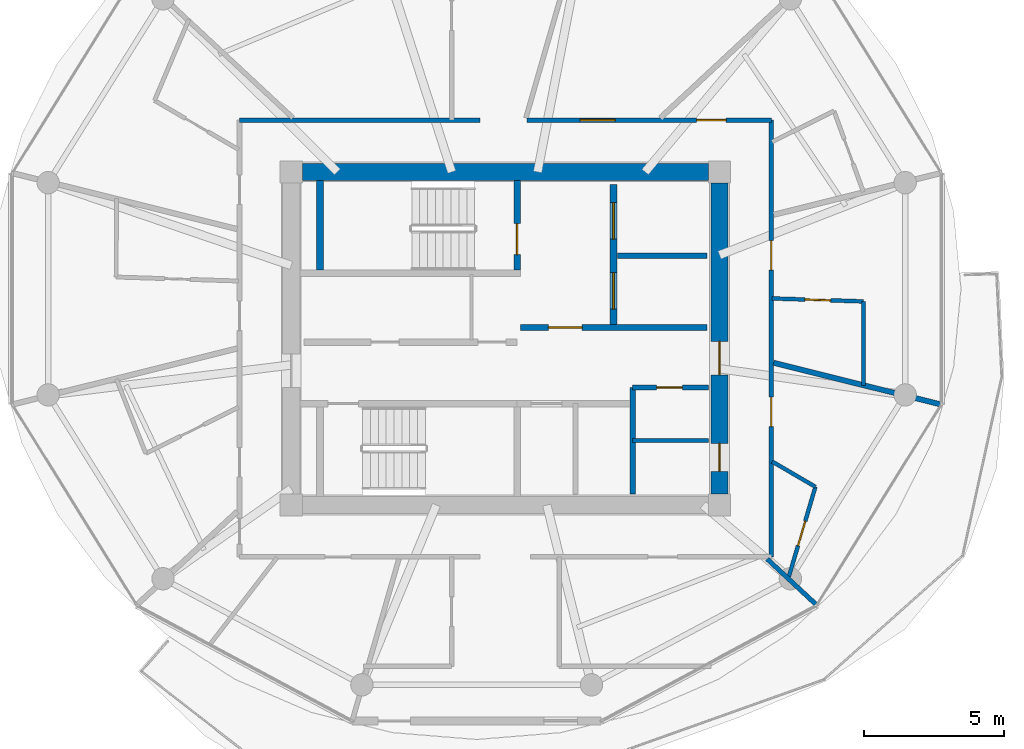
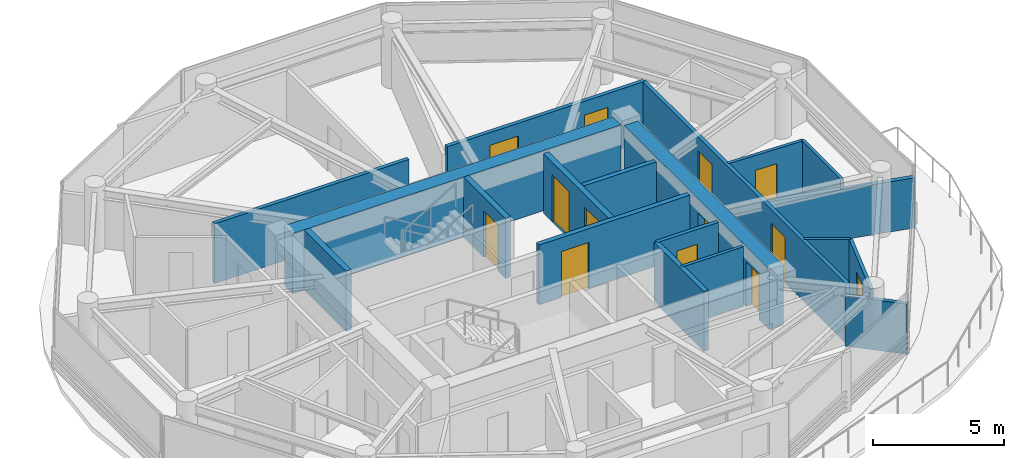
# One storey, part 16 of 22: 19 walls, 13 doors, 13 openings.
"""IFC4 building model written with IfcOpenShell, lengths in metres."""

from ifc_helpers import new_model, si_unit, direction, frame, frame_2d, origin, place, context, subcontext, project, spatial, rectangle, extrude, source, transform, mapped, material, layer, layer_set, type_object, type_shapes, element, fill, save


model = new_model("IFC4")

# Units and contexts
model_context = context("Model", 3, precision=1e-05, world=origin(), true_north=direction((0.0, 1.0)))
body_context = subcontext(model_context, "Body", "Model", "MODEL_VIEW")
ifc_project = project(units=[si_unit("LENGTHUNIT", "METRE"), si_unit("AREAUNIT", "SQUARE_METRE"), si_unit("VOLUMEUNIT", "CUBIC_METRE"), si_unit("PLANEANGLEUNIT", "RADIAN"), si_unit("MASSUNIT", "GRAM", prefix="KILO")], contexts=[model_context])

# Site, building, storey
site_placement = place(None, origin())
site = spatial("IfcSite", under=ifc_project, at=site_placement, CompositionType="ELEMENT")
building_placement = place(site_placement, origin())
building = spatial("IfcBuilding", under=site, at=building_placement, Name="Norrkilde Senior Care Towers", CompositionType="ELEMENT")
storey_placement = place(building_placement, frame((0.0, 0.0, 152.60009765625)))
storey = spatial("IfcBuildingStorey", under=building, at=storey_placement, Name="L47", CompositionType="ELEMENT", Elevation=152.60009765625)

# Wall
ifc_material_1 = material(Name="Concrete C50/60", Category="concrete")
ifc_layer_1 = layer(ifc_material_1, 0.6201171875)
ifc_layer_set_1 = layer_set([ifc_layer_1], Name="Concrete C50/60")
wall_type_1 = type_object("IfcWallType", Name="Core Shear Wall Z3 620", PredefinedType="SHEAR", material=ifc_layer_set_1)
shared_shape_1 = source(origin(), body_context, "Body", "SweptSolid", [
    extrude(rectangle(XDim=14.5, YDim=0.6201171875, at=frame_2d((7.25, 0.0))), origin(), (0.0, 0.0, 1.0), 2.809814453125),
])
wall_1_placement = place(storey_placement, frame((20.75, 5.949951171875, 0.0), z_axis=(0.0, 0.0, 1.0), x_axis=(1.0, 0.0, 0.0)))
element("IfcWall", 1, at=wall_1_placement, inside=storey, type_object=wall_type_1, Name="L47 Core E North Shear Wall", PredefinedType="SHEAR", context=body_context, shape_type="MappedRepresentation", body=[
    mapped(shared_shape_1, transform((0.0, 0.0, 0.0), x_axis=(1.0, 0.0, 0.0), y_axis=(0.0, 1.0, 0.0), z_axis=(0.0, 0.0, 1.0), scale=1.0)),
])

# Wall, openings, doors
shared_shape_2 = source(origin(), body_context, "Body", "SweptSolid", [
    extrude(rectangle(XDim=11.10009765625, YDim=0.6201171875, at=frame_2d((5.550048828125, 0.0))), origin(), (0.0, 0.0, 1.0), 2.809814453125),
])
type_shapes(wall_type_1, [shared_shape_1, shared_shape_2])
wall_2_placement = place(storey_placement, frame((35.64990234375, 5.550048828125, 0.0), z_axis=(0.0, 0.0, 1.0), x_axis=(0.0, -1.0, 0.0)))
wall_2 = element("IfcWall", 2, at=wall_2_placement, inside=storey, type_object=wall_type_1, Name="L47 Core E East Shear Wall", PredefinedType="SHEAR", context=body_context, shape_type="MappedRepresentation", body=[
    mapped(shared_shape_2, transform((0.0, 0.0, 0.0), x_axis=(1.0, 0.0, 0.0), y_axis=(0.0, 1.0, 0.0), z_axis=(0.0, 0.0, 1.0), scale=1.0)),
])
opening_1_placement = place(wall_2_placement, frame((5.64990234375, 0.0, 0.0)))
opening_1 = element("IfcOpeningElement", 3, at=opening_1_placement, cuts=wall_2, Name="Opening D-04", PredefinedType="OPENING", context=body_context, shape_type="SweptSolid", body=[
    extrude(rectangle(XDim=1.199951171875, YDim=2.14990234375, at=frame_2d((0.60009765625, 1.074951171875))), frame((0.0, 0.320068359375, 0.0), z_axis=(0.0, -1.0, 0.0), x_axis=(1.0, 0.0, 0.0)), (0.0, 0.0, 1.0), 0.64013671875),
])
opening_2_placement = place(wall_2_placement, frame((9.300048828125, 0.0, 0.0)))
opening_2 = element("IfcOpeningElement", 4, at=opening_2_placement, cuts=wall_2, Name="Opening D-10", PredefinedType="OPENING", context=body_context, shape_type="SweptSolid", body=[
    extrude(rectangle(XDim=1.0, YDim=2.10009765625, at=frame_2d((0.5, 1.050048828125))), frame((0.0, 0.320068359375, 0.0), z_axis=(0.0, -1.0, 0.0), x_axis=(1.0, 0.0, 0.0)), (0.0, 0.0, 1.0), 0.64013671875),
])
ifc_material_2 = material(Name="Galvanised Painted Steel", Category="steel")
door_type_1 = type_object("IfcDoorType", Name="Firefighting Lobby Fire Door 1200x2150", OperationType="NOTDEFINED", PredefinedType="DOOR", material=ifc_material_2)
shared_shape_3 = source(origin(), body_context, "Body", "SweptSolid", [
    extrude(rectangle(XDim=1.199951171875, YDim=2.14990234375, at=frame_2d((0.60009765625, 1.074951171875))), frame((0.0, 0.02490234375, 0.0), z_axis=(0.0, -1.0, 0.0), x_axis=(1.0, 0.0, 0.0)), (0.0, 0.0, 1.0), 0.050048828125),
])
type_shapes(door_type_1, [shared_shape_3])
door_1_placement = place(opening_1_placement, frame((1.199951171875, 0.0, 0.0), z_axis=(0.0, 0.0, 1.0), x_axis=(-1.0, 0.0, 0.0)))
door_1 = element("IfcDoor", 5, at=door_1_placement, inside=storey, type_object=door_type_1, Name="L47 Core E East Portal Door", OperationType="SINGLE_SWING_RIGHT", OverallHeight=2.14990234375, OverallWidth=1.199951171875, PredefinedType="DOOR", context=body_context, shape_type="MappedRepresentation", body=[
    mapped(shared_shape_3, transform((0.0, 0.0, 0.0), x_axis=(1.0, 0.0, 0.0), y_axis=(0.0, 1.0, 0.0), z_axis=(0.0, 0.0, 1.0), scale=1.0)),
])
fill(opening_1, door_1)
door_type_2 = type_object("IfcDoorType", Name="Plant and Riser Rated Door 1000x2100", OperationType="NOTDEFINED", PredefinedType="DOOR", material=ifc_material_2)
shared_shape_4 = source(origin(), body_context, "Body", "SweptSolid", [
    extrude(rectangle(XDim=1.0, YDim=2.10009765625, at=frame_2d((0.5, 1.050048828125))), frame((0.0, 0.02490234375, 0.0), z_axis=(0.0, -1.0, 0.0), x_axis=(1.0, 0.0, 0.0)), (0.0, 0.0, 1.0), 0.050048828125),
])
type_shapes(door_type_2, [shared_shape_4])
door_2_placement = place(opening_2_placement, frame((1.0, 0.0, 0.0), z_axis=(0.0, 0.0, 1.0), x_axis=(-1.0, 0.0, 0.0)))
door_2 = element("IfcDoor", 6, at=door_2_placement, inside=storey, type_object=door_type_2, Name="L47 Ventilation Riser E Door", OperationType="SINGLE_SWING_RIGHT", OverallHeight=2.10009765625, OverallWidth=1.0, PredefinedType="DOOR", context=body_context, shape_type="MappedRepresentation", body=[
    mapped(shared_shape_4, transform((0.0, 0.0, 0.0), x_axis=(1.0, 0.0, 0.0), y_axis=(0.0, 1.0, 0.0), z_axis=(0.0, 0.0, 1.0), scale=1.0)),
])
fill(opening_2, door_2)

ifc_material_3 = material(Name="Concrete C45/55", Category="concrete")
ifc_layer_2 = layer(ifc_material_3, 0.239990234375)
ifc_layer_set_2 = layer_set([ifc_layer_2], Name="Concrete C45/55")
wall_type_2 = type_object("IfcWallType", Name="Lift and Plant Rated Enclosure Partition 240", PredefinedType="PARTITIONING", material=ifc_layer_set_2)
shared_shape_5 = source(origin(), body_context, "Body", "SweptSolid", [
    extrude(rectangle(XDim=5.0, YDim=0.239990234375, at=frame_2d((2.5, 0.0))), origin(), (0.0, 0.0, 1.0), 2.794921875),
])
type_shapes(wall_type_2, [shared_shape_5])
wall_3_placement = place(storey_placement, frame((31.860107421875, 0.5, 0.0), z_axis=(0.0, 0.0, 1.0), x_axis=(0.0, 1.0, 0.0)))
wall_3 = element("IfcWall", 7, at=wall_3_placement, inside=storey, type_object=wall_type_2, Name="WL-INT-L47-E-FFLE", PredefinedType="PARTITIONING", context=body_context, shape_type="MappedRepresentation", body=[
    mapped(shared_shape_5, transform((0.0, 0.0, 0.0), x_axis=(1.0, 0.0, 0.0), y_axis=(0.0, 1.0, 0.0), z_axis=(0.0, 0.0, 1.0), scale=1.0)),
])
opening_3_placement = place(wall_3_placement, frame((3.050048828125, 0.0, 0.0)))
opening_3 = element("IfcOpeningElement", 8, at=opening_3_placement, cuts=wall_3, Name="Opening LD-02", PredefinedType="OPENING", context=body_context, shape_type="SweptSolid", body=[
    extrude(rectangle(XDim=1.300048828125, YDim=2.199951171875, at=frame_2d((0.64990234375, 1.10009765625))), frame((0.0, 0.1298828125, 0.0), z_axis=(0.0, -1.0, 0.0), x_axis=(1.0, 0.0, 0.0)), (0.0, 0.0, 1.0), 0.260009765625),
])
opening_4_placement = place(wall_3_placement, frame((0.550048828125, 0.0, 0.0)))
opening_4 = element("IfcOpeningElement", 9, at=opening_4_placement, cuts=wall_3, Name="Opening LD-02", PredefinedType="OPENING", context=body_context, shape_type="SweptSolid", body=[
    extrude(rectangle(XDim=1.300048828125, YDim=2.199951171875, at=frame_2d((0.64990234375, 1.10009765625))), frame((0.0, 0.1298828125, 0.0), z_axis=(0.0, -1.0, 0.0), x_axis=(1.0, 0.0, 0.0)), (0.0, 0.0, 1.0), 0.260009765625),
])
ifc_material_4 = material(Name="Stainless Steel", Category="steel")
door_type_3 = type_object("IfcDoorType", Name="Stretcher and FFL Landing Sliding Door 1300x2200", OperationType="NOTDEFINED", PredefinedType="DOOR", material=ifc_material_4)
shared_shape_6 = source(origin(), body_context, "Body", "SweptSolid", [
    extrude(rectangle(XDim=1.300048828125, YDim=2.199951171875, at=frame_2d((0.64990234375, 1.10009765625))), frame((0.0, 0.02490234375, 0.0), z_axis=(0.0, -1.0, 0.0), x_axis=(1.0, 0.0, 0.0)), (0.0, 0.0, 1.0), 0.050048828125),
])
type_shapes(door_type_3, [shared_shape_6])
door_3_placement = place(opening_3_placement, origin())
door_3 = element("IfcDoor", 10, at=door_3_placement, inside=storey, type_object=door_type_3, Name="L47 Firefighting Lift E1 Landing Door", OperationType="SLIDING_TO_LEFT", OverallHeight=2.199951171875, OverallWidth=1.300048828125, PredefinedType="DOOR", context=body_context, shape_type="MappedRepresentation", body=[
    mapped(shared_shape_6, transform((0.0, 0.0, 0.0), x_axis=(1.0, 0.0, 0.0), y_axis=(0.0, 1.0, 0.0), z_axis=(0.0, 0.0, 1.0), scale=1.0)),
])
fill(opening_3, door_3)
door_4_placement = place(opening_4_placement, origin())
door_4 = element("IfcDoor", 11, at=door_4_placement, inside=storey, type_object=door_type_3, Name="L47 Stretcher Lift E1 Landing Door", OperationType="SLIDING_TO_RIGHT", OverallHeight=2.199951171875, OverallWidth=1.300048828125, PredefinedType="DOOR", context=body_context, shape_type="MappedRepresentation", body=[
    mapped(shared_shape_6, transform((0.0, 0.0, 0.0), x_axis=(1.0, 0.0, 0.0), y_axis=(0.0, 1.0, 0.0), z_axis=(0.0, 0.0, 1.0), scale=1.0)),
])
fill(opening_4, door_4)

# Wall
ifc_layer_3 = layer(ifc_material_3, 0.199951171875)
ifc_layer_set_3 = layer_set([ifc_layer_3], Name="Concrete C45/55")
wall_type_3 = type_object("IfcWallType", Name="Shaft Division and Plant Partition 200", PredefinedType="PARTITIONING", material=ifc_layer_set_3)
shared_shape_7 = source(origin(), body_context, "Body", "SweptSolid", [
    extrude(rectangle(XDim=3.199951171875, YDim=0.199951171875, at=frame_2d((1.60009765625, 0.0))), origin(), (0.0, 0.0, 1.0), 2.794921875),
])
wall_4_placement = place(storey_placement, frame((32.0, 2.949951171875, 0.0), z_axis=(0.0, 0.0, 1.0), x_axis=(1.0, 0.0, 0.0)))
element("IfcWall", 12, at=wall_4_placement, inside=storey, type_object=wall_type_3, Name="WL-INT-L47-E-FFLDIV", PredefinedType="PARTITIONING", context=body_context, shape_type="MappedRepresentation", body=[
    mapped(shared_shape_7, transform((0.0, 0.0, 0.0), x_axis=(1.0, 0.0, 0.0), y_axis=(0.0, 1.0, 0.0), z_axis=(0.0, 0.0, 1.0), scale=1.0)),
])

# Wall, opening, door
ifc_layer_4 = layer(ifc_material_3, 0.2099609375)
ifc_layer_set_4 = layer_set([ifc_layer_4], Name="Concrete C45/55")
wall_type_4 = type_object("IfcWallType", Name="Firefighting Lobby Wall 210", PredefinedType="PARTITIONING", material=ifc_layer_set_4)
shared_shape_8 = source(origin(), body_context, "Body", "SweptSolid", [
    extrude(rectangle(XDim=6.659912109375, YDim=0.2099609375, at=frame_2d((3.330078125, 0.0))), origin(), (0.0, 0.0, 1.0), 2.794921875),
])
type_shapes(wall_type_4, [shared_shape_8])
wall_5_placement = place(storey_placement, frame((28.5400390625, 0.389892578125, 0.0), z_axis=(0.0, 0.0, 1.0), x_axis=(1.0, 0.0, 0.0)))
wall_5 = element("IfcWall", 13, at=wall_5_placement, inside=storey, type_object=wall_type_4, Name="WL-INT-L47-E-FFLS", PredefinedType="PARTITIONING", context=body_context, shape_type="MappedRepresentation", body=[
    mapped(shared_shape_8, transform((0.0, 0.0, 0.0), x_axis=(1.0, 0.0, 0.0), y_axis=(0.0, 1.0, 0.0), z_axis=(0.0, 0.0, 1.0), scale=1.0)),
])
opening_5_placement = place(wall_5_placement, frame((1.0, 0.0, 0.0)))
opening_5 = element("IfcOpeningElement", 14, at=opening_5_placement, cuts=wall_5, Name="Opening D-04", PredefinedType="OPENING", context=body_context, shape_type="SweptSolid", body=[
    extrude(rectangle(XDim=1.199951171875, YDim=2.14990234375, at=frame_2d((0.60009765625, 1.074951171875))), frame((0.0, 0.114990234375, 0.0), z_axis=(0.0, -1.0, 0.0), x_axis=(1.0, 0.0, 0.0)), (0.0, 0.0, 1.0), 0.22998046875),
])
door_5_placement = place(opening_5_placement, frame((1.199951171875, 0.0, 0.0), z_axis=(0.0, 0.0, 1.0), x_axis=(-1.0, 0.0, 0.0)))
door_5 = element("IfcDoor", 15, at=door_5_placement, inside=storey, type_object=door_type_1, Name="L47 Firefighting Lobby E Door", OperationType="SINGLE_SWING_LEFT", OverallHeight=2.14990234375, OverallWidth=1.199951171875, PredefinedType="DOOR", context=body_context, shape_type="MappedRepresentation", body=[
    mapped(shared_shape_3, transform((0.0, 0.0, 0.0), x_axis=(1.0, 0.0, 0.0), y_axis=(0.0, 1.0, 0.0), z_axis=(0.0, 0.0, 1.0), scale=1.0)),
])
fill(opening_5, door_5)

# Wall
shared_shape_9 = source(origin(), body_context, "Body", "SweptSolid", [
    extrude(rectangle(XDim=3.800048828125, YDim=0.199951171875, at=frame_2d((1.89990234375, 0.0))), origin(), (0.0, 0.0, 1.0), 2.794921875),
])
type_shapes(wall_type_3, [shared_shape_7, shared_shape_9])
wall_6_placement = place(storey_placement, frame((32.550048828125, -5.550048828125, 0.0), z_axis=(0.0, 0.0, 1.0), x_axis=(0.0, 1.0, 0.0)))
element("IfcWall", 16, at=wall_6_placement, inside=storey, type_object=wall_type_3, Name="WL-INT-L47-E-PKBE", PredefinedType="PARTITIONING", context=body_context, shape_type="MappedRepresentation", body=[
    mapped(shared_shape_9, transform((0.0, 0.0, 0.0), x_axis=(1.0, 0.0, 0.0), y_axis=(0.0, 1.0, 0.0), z_axis=(0.0, 0.0, 1.0), scale=1.0)),
])

# Wall, opening, door
ifc_material_5 = material(Name="Gypsum Acoustic Board")
ifc_layer_5 = layer(ifc_material_5, 0.1650390625)
ifc_layer_set_5 = layer_set([ifc_layer_5], Name="Gypsum Acoustic Board")
wall_type_5 = type_object("IfcWallType", Name="Corridor Rated Partition 165", PredefinedType="PARTITIONING", material=ifc_layer_set_5)
shared_shape_10 = source(origin(), body_context, "Body", "SweptSolid", [
    extrude(rectangle(XDim=2.699951171875, YDim=0.1650390625, at=frame_2d((1.35009765625, 0.0))), origin(), (0.0, 0.0, 1.0), 2.794921875),
])
wall_7_placement = place(storey_placement, frame((32.550048828125, -1.75, 0.0), z_axis=(0.0, 0.0, 1.0), x_axis=(1.0, 0.0, 0.0)))
wall_7 = element("IfcWall", 17, at=wall_7_placement, inside=storey, type_object=wall_type_5, Name="WL-INT-L47-E-CSN", PredefinedType="PARTITIONING", context=body_context, shape_type="MappedRepresentation", body=[
    mapped(shared_shape_10, transform((0.0, 0.0, 0.0), x_axis=(1.0, 0.0, 0.0), y_axis=(0.0, 1.0, 0.0), z_axis=(0.0, 0.0, 1.0), scale=1.0)),
])
opening_6_placement = place(wall_7_placement, frame((0.85009765625, 0.0, 0.0)))
opening_6 = element("IfcOpeningElement", 18, at=opening_6_placement, cuts=wall_7, Name="Opening D-12", PredefinedType="OPENING", context=body_context, shape_type="SweptSolid", body=[
    extrude(rectangle(XDim=0.925048828125, YDim=2.10009765625, at=frame_2d((0.46240234375, 1.050048828125))), frame((0.0, 0.092529296875, 0.0), z_axis=(0.0, -1.0, 0.0), x_axis=(1.0, 0.0, 0.0)), (0.0, 0.0, 1.0), 0.18505859375),
])
door_type_4 = type_object("IfcDoorType", Name="Core Wet Room Rated Door 925x2100", OperationType="NOTDEFINED", PredefinedType="DOOR", material=ifc_material_2)
shared_shape_11 = source(origin(), body_context, "Body", "SweptSolid", [
    extrude(rectangle(XDim=0.925048828125, YDim=2.10009765625, at=frame_2d((0.46240234375, 1.050048828125))), frame((0.0, 0.02490234375, 0.0), z_axis=(0.0, -1.0, 0.0), x_axis=(1.0, 0.0, 0.0)), (0.0, 0.0, 1.0), 0.050048828125),
])
type_shapes(door_type_4, [shared_shape_11])
door_6_placement = place(opening_6_placement, origin())
door_6 = element("IfcDoor", 19, at=door_6_placement, inside=storey, type_object=door_type_4, Name="L47 Staff WC E Door", OperationType="SINGLE_SWING_LEFT", OverallHeight=2.10009765625, OverallWidth=0.925048828125, PredefinedType="DOOR", context=body_context, shape_type="MappedRepresentation", body=[
    mapped(shared_shape_11, transform((0.0, 0.0, 0.0), x_axis=(1.0, 0.0, 0.0), y_axis=(0.0, 1.0, 0.0), z_axis=(0.0, 0.0, 1.0), scale=1.0)),
])
fill(opening_6, door_6)

# Walls
ifc_layer_6 = layer(ifc_material_5, 0.139892578125)
ifc_layer_set_6 = layer_set([ifc_layer_6], Name="Gypsum Acoustic Board")
wall_type_6 = type_object("IfcWallType", Name="En-suite Wet Room Wall 140", PredefinedType="PARTITIONING", material=ifc_layer_set_6)
shared_shape_12 = source(origin(), body_context, "Body", "SweptSolid", [
    extrude(rectangle(XDim=2.699951171875, YDim=0.139892578125, at=frame_2d((1.35009765625, 0.0))), origin(), (0.0, 0.0, 1.0), 2.794921875),
])
wall_8_placement = place(storey_placement, frame((32.550048828125, -3.64990234375, 0.0), z_axis=(0.0, 0.0, 1.0), x_axis=(1.0, 0.0, 0.0)))
element("IfcWall", 20, at=wall_8_placement, inside=storey, type_object=wall_type_6, Name="WL-INT-L47-E-CS2H", PredefinedType="PARTITIONING", context=body_context, shape_type="MappedRepresentation", body=[
    mapped(shared_shape_12, transform((0.0, 0.0, 0.0), x_axis=(1.0, 0.0, 0.0), y_axis=(0.0, 1.0, 0.0), z_axis=(0.0, 0.0, 1.0), scale=1.0)),
])
shared_shape_13 = source(origin(), body_context, "Body", "SweptSolid", [
    extrude(rectangle(XDim=8.60009765625, YDim=0.1650390625, at=frame_2d((4.300048828125, 0.0))), origin(), (0.0, 0.0, 1.0), 2.794921875),
])
wall_9_placement = place(storey_placement, frame((18.5, 7.800048828125, 0.0), z_axis=(0.0, 0.0, 1.0), x_axis=(1.0, 0.0, 0.0)))
element("IfcWall", 21, at=wall_9_placement, inside=storey, type_object=wall_type_5, Name="WL-INT-L47-E-CRW-N-0", PredefinedType="PARTITIONING", context=body_context, shape_type="MappedRepresentation", body=[
    mapped(shared_shape_13, transform((0.0, 0.0, 0.0), x_axis=(1.0, 0.0, 0.0), y_axis=(0.0, 1.0, 0.0), z_axis=(0.0, 0.0, 1.0), scale=1.0)),
])

# Wall, openings, doors
shared_shape_14 = source(origin(), body_context, "Body", "SweptSolid", [
    extrude(rectangle(XDim=15.60009765625, YDim=0.1650390625, at=frame_2d((7.800048828125, 0.0))), origin(), (0.0, 0.0, 1.0), 2.794921875),
])
wall_10_placement = place(storey_placement, frame((37.5, 7.800048828125, 0.0), z_axis=(0.0, 0.0, 1.0), x_axis=(0.0, -1.0, 0.0)))
wall_10 = element("IfcWall", 22, at=wall_10_placement, inside=storey, type_object=wall_type_5, Name="WL-INT-L47-E-CRW-E-0", PredefinedType="PARTITIONING", context=body_context, shape_type="MappedRepresentation", body=[
    mapped(shared_shape_14, transform((0.0, 0.0, 0.0), x_axis=(1.0, 0.0, 0.0), y_axis=(0.0, 1.0, 0.0), z_axis=(0.0, 0.0, 1.0), scale=1.0)),
])
opening_7_placement = place(wall_10_placement, frame((9.896484375, 0.0, 0.0)))
opening_7 = element("IfcOpeningElement", 23, at=opening_7_placement, cuts=wall_10, Name="Opening D-06", PredefinedType="OPENING", context=body_context, shape_type="SweptSolid", body=[
    extrude(rectangle(XDim=1.050048828125, YDim=2.14990234375, at=frame_2d((0.52490234375, 1.074951171875))), frame((0.0, 0.092529296875, 0.0), z_axis=(0.0, -1.0, 0.0), x_axis=(1.0, 0.0, 0.0)), (0.0, 0.0, 1.0), 0.18505859375),
])
opening_8_placement = place(wall_10_placement, frame((4.306396484375, 0.0, 0.0)))
opening_8 = element("IfcOpeningElement", 24, at=opening_8_placement, cuts=wall_10, Name="Opening D-06", PredefinedType="OPENING", context=body_context, shape_type="SweptSolid", body=[
    extrude(rectangle(XDim=1.050048828125, YDim=2.14990234375, at=frame_2d((0.52490234375, 1.074951171875))), frame((0.0, 0.092529296875, 0.0), z_axis=(0.0, -1.0, 0.0), x_axis=(1.0, 0.0, 0.0)), (0.0, 0.0, 1.0), 0.18505859375),
])
ifc_material_6 = material(Name="Nordic Ash Timber", Category="wood")
door_type_5 = type_object("IfcDoorType", Name="Apartment Entrance Fire Door 1050x2150", OperationType="NOTDEFINED", PredefinedType="DOOR", material=ifc_material_6)
shared_shape_15 = source(origin(), body_context, "Body", "SweptSolid", [
    extrude(rectangle(XDim=1.050048828125, YDim=2.14990234375, at=frame_2d((0.52490234375, 1.074951171875))), frame((0.0, 0.02490234375, 0.0), z_axis=(0.0, -1.0, 0.0), x_axis=(1.0, 0.0, 0.0)), (0.0, 0.0, 1.0), 0.050048828125),
])
type_shapes(door_type_5, [shared_shape_15])
door_7_placement = place(opening_7_placement, frame((1.050048828125, 0.0, 0.0), z_axis=(0.0, 0.0, 1.0), x_axis=(-1.0, 0.0, 0.0)))
door_7 = element("IfcDoor", 25, at=door_7_placement, inside=storey, type_object=door_type_5, Name="L47 Studio 47E Entrance Door", OperationType="SINGLE_SWING_LEFT", OverallHeight=2.14990234375, OverallWidth=1.050048828125, PredefinedType="DOOR", context=body_context, shape_type="MappedRepresentation", body=[
    mapped(shared_shape_15, transform((0.0, 0.0, 0.0), x_axis=(1.0, 0.0, 0.0), y_axis=(0.0, 1.0, 0.0), z_axis=(0.0, 0.0, 1.0), scale=1.0)),
])
fill(opening_7, door_7)
door_8_placement = place(opening_8_placement, frame((1.050048828125, 0.0, 0.0), z_axis=(0.0, 0.0, 1.0), x_axis=(-1.0, 0.0, 0.0)))
door_8 = element("IfcDoor", 26, at=door_8_placement, inside=storey, type_object=door_type_5, Name="L47 Studio 47F Entrance Door", OperationType="SINGLE_SWING_RIGHT", OverallHeight=2.14990234375, OverallWidth=1.050048828125, PredefinedType="DOOR", context=body_context, shape_type="MappedRepresentation", body=[
    mapped(shared_shape_15, transform((0.0, 0.0, 0.0), x_axis=(1.0, 0.0, 0.0), y_axis=(0.0, 1.0, 0.0), z_axis=(0.0, 0.0, 1.0), scale=1.0)),
])
fill(opening_8, door_8)

# Wall
ifc_layer_7 = layer(ifc_material_5, 0.18994140625)
ifc_layer_set_7 = layer_set([ifc_layer_7], Name="Gypsum Acoustic Board")
wall_type_7 = type_object("IfcWallType", Name="Unit Demising Acoustic Wall 190", PredefinedType="PARTITIONING", material=ifc_layer_set_7)
shared_shape_16 = source(origin(), body_context, "Body", "SweptSolid", [
    extrude(rectangle(XDim=6.192626953125, YDim=0.18994140625, at=frame_2d((3.09619140625, 0.0))), origin(), (0.0, 0.0, 1.0), 2.344970703125),
])
type_shapes(wall_type_7, [shared_shape_16])
wall_11_placement = place(storey_placement, frame((37.580078125, -0.867919921875, 0.0), z_axis=(0.0, 0.0, 1.0), x_axis=(0.970309243466, -0.241867674657, 0.0)))
element("IfcWall", 27, at=wall_11_placement, inside=storey, type_object=wall_type_7, Name="WL-INT-L47-E-DEM-11-0", PredefinedType="PARTITIONING", context=body_context, shape_type="MappedRepresentation", body=[
    mapped(shared_shape_16, transform((0.0, 0.0, 0.0), x_axis=(1.0, 0.0, 0.0), y_axis=(0.0, 1.0, 0.0), z_axis=(0.0, 0.0, 1.0), scale=1.0)),
])

# Wall, openings, doors
shared_shape_17 = source(origin(), body_context, "Body", "SweptSolid", [
    extrude(rectangle(XDim=8.719482421875, YDim=0.1650390625, at=frame_2d((4.35986328125, 0.0))), origin(), (0.0, 0.0, 1.0), 2.794921875),
])
wall_12_placement = place(storey_placement, frame((28.780517578125, 7.800048828125, 0.0), z_axis=(0.0, 0.0, 1.0), x_axis=(1.0, 0.0, 0.0)))
wall_12 = element("IfcWall", 28, at=wall_12_placement, inside=storey, type_object=wall_type_5, Name="WL-INT-L47-E-CRW-N-1", PredefinedType="PARTITIONING", context=body_context, shape_type="MappedRepresentation", body=[
    mapped(shared_shape_17, transform((0.0, 0.0, 0.0), x_axis=(1.0, 0.0, 0.0), y_axis=(0.0, 1.0, 0.0), z_axis=(0.0, 0.0, 1.0), scale=1.0)),
])
opening_9_placement = place(wall_12_placement, frame((6.054443359375, 0.0, 0.0)))
opening_9 = element("IfcOpeningElement", 29, at=opening_9_placement, cuts=wall_12, Name="Opening D-06", PredefinedType="OPENING", context=body_context, shape_type="SweptSolid", body=[
    extrude(rectangle(XDim=1.050048828125, YDim=2.14990234375, at=frame_2d((0.52490234375, 1.074951171875))), frame((0.0, 0.092529296875, 0.0), z_axis=(0.0, -1.0, 0.0), x_axis=(1.0, 0.0, 0.0)), (0.0, 0.0, 1.0), 0.18505859375),
])
opening_10_placement = place(wall_12_placement, frame((1.890869140625, 0.0, 0.0)))
opening_10 = element("IfcOpeningElement", 30, at=opening_10_placement, cuts=wall_12, Name="Opening D-05", PredefinedType="OPENING", context=body_context, shape_type="SweptSolid", body=[
    extrude(rectangle(XDim=1.25, YDim=2.199951171875, at=frame_2d((0.625, 1.10009765625))), frame((0.0, 0.092529296875, 0.0), z_axis=(0.0, -1.0, 0.0), x_axis=(1.0, 0.0, 0.0)), (0.0, 0.0, 1.0), 0.18505859375),
])
door_type_6 = type_object("IfcDoorType", Name="Care Bedroom Bariatric Door 1250x2200", OperationType="NOTDEFINED", PredefinedType="DOOR", material=ifc_material_6)
shared_shape_18 = source(origin(), body_context, "Body", "SweptSolid", [
    extrude(rectangle(XDim=1.25, YDim=2.199951171875, at=frame_2d((0.625, 1.10009765625))), frame((0.0, 0.02490234375, 0.0), z_axis=(0.0, -1.0, 0.0), x_axis=(1.0, 0.0, 0.0)), (0.0, 0.0, 1.0), 0.050048828125),
])
type_shapes(door_type_6, [shared_shape_18])
door_9_placement = place(opening_10_placement, frame((1.25, 0.0, 0.0), z_axis=(0.0, 0.0, 1.0), x_axis=(-1.0, 0.0, 0.0)))
door_9 = element("IfcDoor", 31, at=door_9_placement, inside=storey, type_object=door_type_6, Name="L47 Senior Wellness Library Lounge Door", OperationType="SINGLE_SWING_RIGHT", OverallHeight=2.199951171875, OverallWidth=1.25, PredefinedType="DOOR", context=body_context, shape_type="MappedRepresentation", body=[
    mapped(shared_shape_18, transform((0.0, 0.0, 0.0), x_axis=(1.0, 0.0, 0.0), y_axis=(0.0, 1.0, 0.0), z_axis=(0.0, 0.0, 1.0), scale=1.0)),
])
fill(opening_10, door_9)
door_10_placement = place(opening_9_placement, frame((1.050048828125, 0.0, 0.0), z_axis=(0.0, 0.0, 1.0), x_axis=(-1.0, 0.0, 0.0)))
door_10 = element("IfcDoor", 32, at=door_10_placement, inside=storey, type_object=door_type_5, Name="L47 Studio 47G Entrance Door", OperationType="SINGLE_SWING_LEFT", OverallHeight=2.14990234375, OverallWidth=1.050048828125, PredefinedType="DOOR", context=body_context, shape_type="MappedRepresentation", body=[
    mapped(shared_shape_15, transform((0.0, 0.0, 0.0), x_axis=(1.0, 0.0, 0.0), y_axis=(0.0, 1.0, 0.0), z_axis=(0.0, 0.0, 1.0), scale=1.0)),
])
fill(opening_9, door_10)

# Walls
shared_shape_19 = source(origin(), body_context, "Body", "SweptSolid", [
    extrude(rectangle(XDim=2.434814453125, YDim=0.1650390625, at=frame_2d((1.21728515625, 0.0))), origin(), (0.0, 0.0, 1.0), 2.344970703125),
])
type_shapes(wall_type_5, [shared_shape_10, shared_shape_13, shared_shape_14, shared_shape_17, shared_shape_19])
wall_13_placement = place(storey_placement, frame((37.3544921875, -7.8798828125, 0.0), z_axis=(0.0, 0.0, 1.0), x_axis=(0.732164643118, -0.681127693878, 0.0)))
element("IfcWall", 33, at=wall_13_placement, inside=storey, type_object=wall_type_5, Name="WL-INT-L47-E-DEM-10-0", PredefinedType="PARTITIONING", context=body_context, shape_type="MappedRepresentation", body=[
    mapped(shared_shape_19, transform((0.0, 0.0, 0.0), x_axis=(1.0, 0.0, 0.0), y_axis=(0.0, 1.0, 0.0), z_axis=(0.0, 0.0, 1.0), scale=1.0)),
])
ifc_layer_8 = layer(ifc_material_3, 0.239990234375)
ifc_layer_set_8 = layer_set([ifc_layer_8], Name="Concrete C45/55")
wall_type_8 = type_object("IfcWallType", Name="Shaft and Stair Enclosure Wall 240", PredefinedType="PARTITIONING", material=ifc_layer_set_8)
shared_shape_20 = source(origin(), body_context, "Body", "SweptSolid", [
    extrude(rectangle(XDim=3.18994140625, YDim=0.239990234375, at=frame_2d((1.594970703125, 0.0))), origin(), (0.0, 0.0, 1.0), 2.809814453125),
])
type_shapes(wall_type_8, [shared_shape_20])
wall_14_placement = place(storey_placement, frame((21.3798828125, 2.449951171875, 0.0), z_axis=(0.0, 0.0, 1.0), x_axis=(0.0, 1.0, 0.0)))
element("IfcWall", 34, at=wall_14_placement, inside=storey, type_object=wall_type_8, Name="WL-INT-L47-E-ST1W", PredefinedType="PARTITIONING", context=body_context, shape_type="MappedRepresentation", body=[
    mapped(shared_shape_20, transform((0.0, 0.0, 0.0), x_axis=(1.0, 0.0, 0.0), y_axis=(0.0, 1.0, 0.0), z_axis=(0.0, 0.0, 1.0), scale=1.0)),
])

# Wall, opening, door
wall_15_placement = place(storey_placement, frame((28.419921875, 2.449951171875, 0.0), z_axis=(0.0, 0.0, 1.0), x_axis=(0.0, 1.0, 0.0)))
wall_15 = element("IfcWall", 35, at=wall_15_placement, inside=storey, type_object=wall_type_8, Name="WL-INT-L47-E-ST1E", PredefinedType="PARTITIONING", context=body_context, shape_type="MappedRepresentation", body=[
    mapped(shared_shape_20, transform((0.0, 0.0, 0.0), x_axis=(1.0, 0.0, 0.0), y_axis=(0.0, 1.0, 0.0), z_axis=(0.0, 0.0, 1.0), scale=1.0)),
])
opening_11_placement = place(wall_15_placement, frame((0.550048828125, 0.0, 0.0)))
opening_11 = element("IfcOpeningElement", 36, at=opening_11_placement, cuts=wall_15, Name="Opening D-03", PredefinedType="OPENING", context=body_context, shape_type="SweptSolid", body=[
    extrude(rectangle(XDim=1.10009765625, YDim=2.14990234375, at=frame_2d((0.550048828125, 1.074951171875))), frame((0.0, 0.1298828125, 0.0), z_axis=(0.0, -1.0, 0.0), x_axis=(1.0, 0.0, 0.0)), (0.0, 0.0, 1.0), 0.260009765625),
])
door_type_7 = type_object("IfcDoorType", Name="Stairwell Protected Fire Door 1100x2150", OperationType="NOTDEFINED", PredefinedType="DOOR", material=ifc_material_2)
shared_shape_21 = source(origin(), body_context, "Body", "SweptSolid", [
    extrude(rectangle(XDim=1.10009765625, YDim=2.14990234375, at=frame_2d((0.550048828125, 1.074951171875))), frame((0.0, 0.02490234375, 0.0), z_axis=(0.0, -1.0, 0.0), x_axis=(1.0, 0.0, 0.0)), (0.0, 0.0, 1.0), 0.050048828125),
])
type_shapes(door_type_7, [shared_shape_21])
door_11_placement = place(opening_11_placement, origin())
door_11 = element("IfcDoor", 37, at=door_11_placement, inside=storey, type_object=door_type_7, Name="L47 Stair E1 Fire Door", OperationType="SINGLE_SWING_LEFT", OverallHeight=2.14990234375, OverallWidth=1.10009765625, PredefinedType="DOOR", context=body_context, shape_type="MappedRepresentation", body=[
    mapped(shared_shape_21, transform((0.0, 0.0, 0.0), x_axis=(1.0, 0.0, 0.0), y_axis=(0.0, 1.0, 0.0), z_axis=(0.0, 0.0, 1.0), scale=1.0)),
])
fill(opening_11, door_11)

shared_shape_22 = source(origin(), body_context, "Body", "SweptSolid", [
    extrude(rectangle(XDim=3.269287109375, YDim=0.139892578125, at=frame_2d((1.634765625, 0.0))), origin(), (0.0, 0.0, 1.0), 2.794921875),
])
wall_16_placement = place(storey_placement, frame((37.530029296875, 1.430419921875, 0.0), z_axis=(0.0, 0.0, 1.0), x_axis=(0.999467384322, -0.032633536084, 0.0)))
wall_16 = element("IfcWall", 38, at=wall_16_placement, inside=storey, type_object=wall_type_6, Name="WL-INT-L47-E-ES-11", PredefinedType="PARTITIONING", context=body_context, shape_type="MappedRepresentation", body=[
    mapped(shared_shape_22, transform((0.0, 0.0, 0.0), x_axis=(1.0, 0.0, 0.0), y_axis=(0.0, 1.0, 0.0), z_axis=(0.0, 0.0, 1.0), scale=1.0)),
])
opening_12_placement = place(wall_16_placement, frame((1.174560546875, 0.0, 0.0)))
opening_12 = element("IfcOpeningElement", 39, at=opening_12_placement, cuts=wall_16, Name="Opening D-08", PredefinedType="OPENING", context=body_context, shape_type="SweptSolid", body=[
    extrude(rectangle(XDim=0.919921875, YDim=2.10009765625, at=frame_2d((0.4599609375, 1.050048828125))), frame((0.0, 0.079833984375, 0.0), z_axis=(0.0, -1.0, 0.0), x_axis=(1.0, 0.0, 0.0)), (0.0, 0.0, 1.0), 0.159912109375),
])
door_type_8 = type_object("IfcDoorType", Name="Accessible Wet Room Door 920x2100", OperationType="NOTDEFINED", PredefinedType="DOOR", material=ifc_material_6)
shared_shape_23 = source(origin(), body_context, "Body", "SweptSolid", [
    extrude(rectangle(XDim=0.919921875, YDim=2.10009765625, at=frame_2d((0.4599609375, 1.050048828125))), frame((0.0, 0.02490234375, 0.0), z_axis=(0.0, -1.0, 0.0), x_axis=(1.0, 0.0, 0.0)), (0.0, 0.0, 1.0), 0.050048828125),
])
type_shapes(door_type_8, [shared_shape_23])
door_12_placement = place(opening_12_placement, origin())
door_12 = element("IfcDoor", 40, at=door_12_placement, inside=storey, type_object=door_type_8, Name="L47 Studio 47F Bathroom Door", OperationType="SINGLE_SWING_LEFT", OverallHeight=2.10009765625, OverallWidth=0.919921875, PredefinedType="DOOR", context=body_context, shape_type="MappedRepresentation", body=[
    mapped(shared_shape_23, transform((0.0, 0.0, 0.0), x_axis=(1.0, 0.0, 0.0), y_axis=(0.0, 1.0, 0.0), z_axis=(0.0, 0.0, 1.0), scale=1.0)),
])
fill(opening_12, door_12)

# Walls
shared_shape_24 = source(origin(), body_context, "Body", "SweptSolid", [
    extrude(rectangle(XDim=3.011962890625, YDim=0.139892578125, at=frame_2d((1.505859375, 0.0))), origin(), (0.0, 0.0, 1.0), 2.794921875),
])
wall_17_placement = place(storey_placement, frame((40.797607421875, 1.32373046875, 0.0), z_axis=(0.0, 0.0, 1.0), x_axis=(-0.00226958968, -0.999997424478, 0.0)))
element("IfcWall", 41, at=wall_17_placement, inside=storey, type_object=wall_type_6, Name="WL-INT-L47-E-EF-11", PredefinedType="PARTITIONING", context=body_context, shape_type="MappedRepresentation", body=[
    mapped(shared_shape_24, transform((0.0, 0.0, 0.0), x_axis=(1.0, 0.0, 0.0), y_axis=(0.0, 1.0, 0.0), z_axis=(0.0, 0.0, 1.0), scale=1.0)),
])
shared_shape_25 = source(origin(), body_context, "Body", "SweptSolid", [
    extrude(rectangle(XDim=1.791259765625, YDim=0.139892578125, at=frame_2d((0.8955078125, 0.0))), origin(), (0.0, 0.0, 1.0), 2.794921875),
])
wall_18_placement = place(storey_placement, frame((37.530029296875, -4.3955078125, 0.0), z_axis=(0.0, 0.0, 1.0), x_axis=(0.863294053295, -0.504701275553, 0.0)))
element("IfcWall", 42, at=wall_18_placement, inside=storey, type_object=wall_type_6, Name="WL-INT-L47-E-ES-10", PredefinedType="PARTITIONING", context=body_context, shape_type="MappedRepresentation", body=[
    mapped(shared_shape_25, transform((0.0, 0.0, 0.0), x_axis=(1.0, 0.0, 0.0), y_axis=(0.0, 1.0, 0.0), z_axis=(0.0, 0.0, 1.0), scale=1.0)),
])

# Wall, opening, door
shared_shape_26 = source(origin(), body_context, "Body", "SweptSolid", [
    extrude(rectangle(XDim=3.469970703125, YDim=0.139892578125, at=frame_2d((1.73486328125, 0.0))), origin(), (0.0, 0.0, 1.0), 2.794921875),
])
type_shapes(wall_type_6, [shared_shape_12, shared_shape_22, shared_shape_24, shared_shape_25, shared_shape_26])
wall_19_placement = place(storey_placement, frame((39.076416015625, -5.299560546875, 0.0), z_axis=(0.0, 0.0, 1.0), x_axis=(-0.283194656898, -0.959062451723, 0.0)))
wall_19 = element("IfcWall", 43, at=wall_19_placement, inside=storey, type_object=wall_type_6, Name="WL-INT-L47-E-EF-10", PredefinedType="PARTITIONING", context=body_context, shape_type="MappedRepresentation", body=[
    mapped(shared_shape_26, transform((0.0, 0.0, 0.0), x_axis=(1.0, 0.0, 0.0), y_axis=(0.0, 1.0, 0.0), z_axis=(0.0, 0.0, 1.0), scale=1.0)),
])
opening_13_placement = place(wall_19_placement, frame((1.27490234375, 0.0, 0.0)))
opening_13 = element("IfcOpeningElement", 44, at=opening_13_placement, cuts=wall_19, Name="Opening D-08", PredefinedType="OPENING", context=body_context, shape_type="SweptSolid", body=[
    extrude(rectangle(XDim=0.919921875, YDim=2.10009765625, at=frame_2d((0.4599609375, 1.050048828125))), frame((0.0, 0.079833984375, 0.0), z_axis=(0.0, -1.0, 0.0), x_axis=(1.0, 0.0, 0.0)), (0.0, 0.0, 1.0), 0.159912109375),
])
door_13_placement = place(opening_13_placement, origin())
door_13 = element("IfcDoor", 45, at=door_13_placement, inside=storey, type_object=door_type_8, Name="L47 Studio 47E Bathroom Door", OperationType="SINGLE_SWING_RIGHT", OverallHeight=2.10009765625, OverallWidth=0.919921875, PredefinedType="DOOR", context=body_context, shape_type="MappedRepresentation", body=[
    mapped(shared_shape_23, transform((0.0, 0.0, 0.0), x_axis=(1.0, 0.0, 0.0), y_axis=(0.0, 1.0, 0.0), z_axis=(0.0, 0.0, 1.0), scale=1.0)),
])
fill(opening_13, door_13)

save(model, "model.ifc")
